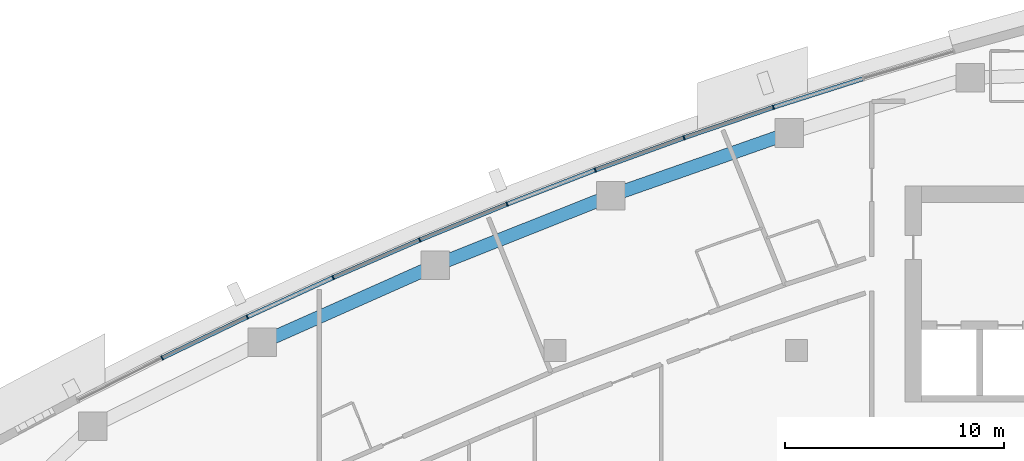
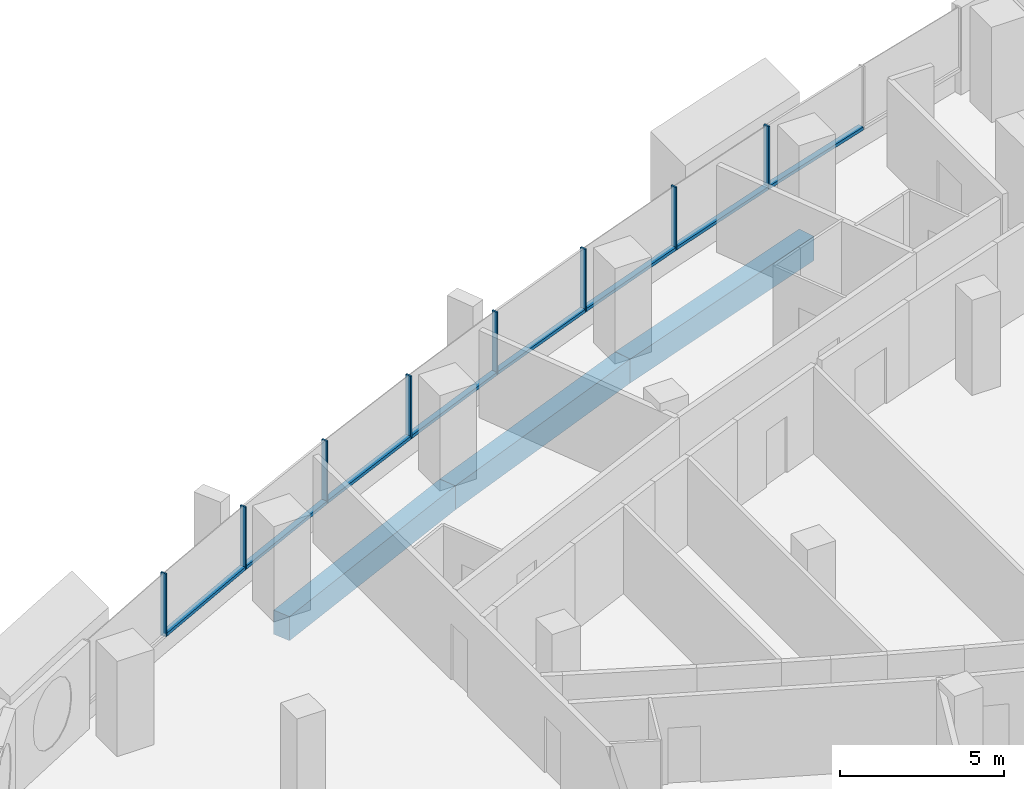
# One storey, part 6 of 17: 16 members, 3 beams, 5 elements without a shape of their own.
"""IFC4 building model written with IfcOpenShell, lengths in metres."""

from ifc_helpers import new_model, si_unit, direction, frame, origin, origin_2d, place, context, subcontext, project, spatial, rectangle, extrude, material, layer, layer_set, material_profile, profile_set, type_object, element, aggregate, save


model = new_model("IFC4")

# Units and contexts
model_context = context("Model", 3, precision=1e-05, world=origin(), true_north=direction((0.0, 1.0)))
body_context = subcontext(model_context, "Body", "Model", "MODEL_VIEW")
ifc_project = project(units=[si_unit("LENGTHUNIT", "METRE"), si_unit("AREAUNIT", "SQUARE_METRE"), si_unit("VOLUMEUNIT", "CUBIC_METRE"), si_unit("PLANEANGLEUNIT", "RADIAN"), si_unit("MASSUNIT", "GRAM", prefix="KILO")], contexts=[model_context])

# Site, building, storey
site_placement = place(None, origin())
site = spatial("IfcSite", under=ifc_project, at=site_placement, CompositionType="ELEMENT")
building_placement = place(site_placement, origin())
building = spatial("IfcBuilding", under=site, at=building_placement, Name="Ostrand Prow Hotel Tower", CompositionType="ELEMENT")
storey_placement = place(building_placement, frame((0.0, 0.0, 182.60009765625)))
storey = spatial("IfcBuildingStorey", under=building, at=storey_placement, Name="L45", CompositionType="ELEMENT", Elevation=182.60009765625)

# Beams
ifc_material_1 = material(Name="Concrete C60/75", Category="concrete")
ifc_material_profile_1 = material_profile(ifc_material_1, rectangle(XDim=0.60009765625, YDim=0.89990234375, at=origin_2d()), Name="RC 600x900")
ifc_profile_set_1 = profile_set([ifc_material_profile_1], Name="Concrete C60/75")
beam_type = type_object("IfcBeamType", Name="Edge beam 600x900 C60/75", PredefinedType="SPANDREL", material=ifc_profile_set_1)
for number, where, z_axis, x_axis, name in (
    (1, (44.6826171875, 18.91552734375, -0.75), (-0.943593618681, -0.33110584831, 0.0), (0.33110584831, -0.943593618681, 0.0), "Edge beam N2-N3"),
    (2, (36.547119140625, 16.060791015625, -0.75), (-0.929376173753, -0.36913402398, 0.0), (0.36913402398, -0.929376173753, 0.0), "Edge beam N3-N4"),
    (3, (28.5341796875, 12.878173828125, -0.75), (-0.91364332073, -0.406516767779, 0.0), (0.406516767779, -0.91364332073, 0.0), "Edge beam N4-N5"),
):
    element("IfcBeam", number, at=place(storey_placement, frame(where, z_axis=z_axis, x_axis=x_axis)), inside=storey, type_object=beam_type, Name=name, PredefinedType="SPANDREL", context=body_context, shape_type="SweptSolid", body=[
        extrude(rectangle(XDim=0.60009765625, YDim=0.89990234375, at=origin_2d()), origin(), (0.0, 0.0, 1.0), 8.621826171875),
    ])

# Curtain wall, member
ifc_material_2 = material(Name="Insulated glass in bronze anodised frame", Category="glass")
ifc_layer = layer(ifc_material_2, 0.199951171875)
ifc_layer_set = layer_set([ifc_layer], Name="Insulated glass in bronze anodised frame")
curtain_wall_type = type_object("IfcCurtainWallType", Name="Strip curtain wall, fritted glass over bronze spandrel", PredefinedType="NOTDEFINED", material=ifc_layer_set)
curtain_wall_1_placement = place(storey_placement, origin())
curtain_wall_1 = element("IfcCurtainWall", 4, at=curtain_wall_1_placement, inside=storey, type_object=curtain_wall_type, Name="CW1 run CWN1", PredefinedType="NOTDEFINED")
ifc_material_3 = material(Name="Bronze anodised aluminium", Category="aluminium")
ifc_material_profile_2 = material_profile(ifc_material_3, rectangle(XDim=0.199951171875, YDim=0.06005859375, at=origin_2d()), Name="Mullion 60x200 bronze anodised aluminium")
ifc_profile_set_2 = profile_set([ifc_material_profile_2], Name="Bronze anodised aluminium")
member_type_1 = type_object("IfcMemberType", Name="Mullion 60x200 bronze anodised aluminium", PredefinedType="MULLION", material=ifc_profile_set_2)
member_1_placement = place(storey_placement, frame((43.95361328125, 20.086669921875, 0.89990234375), z_axis=(0.0, 0.0, 1.0), x_axis=(0.303786970008, -0.952739983864, 0.0)))
member_1 = element("IfcMember", 5, at=member_1_placement, type_object=member_type_1, Name="CW1 mullion 3", PredefinedType="MULLION", context=body_context, shape_type="SweptSolid", body=[
    extrude(rectangle(XDim=0.199951171875, YDim=0.06005859375, at=origin_2d()), origin(), (0.0, 0.0, 1.0), 2.35009765625),
])

# Curtain wall, members
curtain_wall_2_placement = place(storey_placement, origin())
curtain_wall_2 = element("IfcCurtainWall", 6, at=curtain_wall_2_placement, inside=storey, type_object=curtain_wall_type, Name="CW1 run CWN2", PredefinedType="NOTDEFINED")
member_2_placement = place(storey_placement, frame((39.87939453125, 18.696533203125, 0.89990234375), z_axis=(0.0, 0.0, 1.0), x_axis=(0.341897134919, -0.939737383067, 0.0)))
member_2 = element("IfcMember", 7, at=member_2_placement, type_object=member_type_1, Name="CW1 mullion 2", PredefinedType="MULLION", context=body_context, shape_type="SweptSolid", body=[
    extrude(rectangle(XDim=0.199951171875, YDim=0.06005859375, at=origin_2d()), origin(), (0.0, 0.0, 1.0), 2.35009765625),
])
member_3_placement = place(storey_placement, frame((35.833740234375, 17.224609375, 0.89990234375), z_axis=(0.0, 0.0, 1.0), x_axis=(0.341897134919, -0.939737383067, 0.0)))
member_3 = element("IfcMember", 8, at=member_3_placement, type_object=member_type_1, Name="CW1 mullion 3", PredefinedType="MULLION", context=body_context, shape_type="SweptSolid", body=[
    extrude(rectangle(XDim=0.199951171875, YDim=0.06005859375, at=origin_2d()), origin(), (0.0, 0.0, 1.0), 2.35009765625),
])

curtain_wall_3_placement = place(storey_placement, origin())
curtain_wall_3 = element("IfcCurtainWall", 9, at=curtain_wall_3_placement, inside=storey, type_object=curtain_wall_type, Name="CW1 run CWN3", PredefinedType="NOTDEFINED")
member_4_placement = place(storey_placement, frame((31.818603515625, 15.671630859375, 0.89990234375), z_axis=(0.0, 0.0, 1.0), x_axis=(0.379452929936, -0.925211042932, 0.0)))
member_4 = element("IfcMember", 10, at=member_4_placement, type_object=member_type_1, Name="CW1 mullion 2", PredefinedType="MULLION", context=body_context, shape_type="SweptSolid", body=[
    extrude(rectangle(XDim=0.199951171875, YDim=0.06005859375, at=origin_2d()), origin(), (0.0, 0.0, 1.0), 2.35009765625),
])
member_5_placement = place(storey_placement, frame((27.83544921875, 14.0380859375, 0.89990234375), z_axis=(0.0, 0.0, 1.0), x_axis=(0.379452929936, -0.925211042932, 0.0)))
member_5 = element("IfcMember", 11, at=member_5_placement, type_object=member_type_1, Name="CW1 mullion 3", PredefinedType="MULLION", context=body_context, shape_type="SweptSolid", body=[
    extrude(rectangle(XDim=0.199951171875, YDim=0.06005859375, at=origin_2d()), origin(), (0.0, 0.0, 1.0), 2.35009765625),
])

curtain_wall_4_placement = place(storey_placement, origin())
curtain_wall_4 = element("IfcCurtainWall", 12, at=curtain_wall_4_placement, inside=storey, type_object=curtain_wall_type, Name="CW1 run CWN4", PredefinedType="NOTDEFINED")
member_6_placement = place(storey_placement, frame((23.885986328125, 12.32470703125, 0.89990234375), z_axis=(0.0, 0.0, 1.0), x_axis=(0.416393460127, -0.909184517226, 0.0)))
member_6 = element("IfcMember", 13, at=member_6_placement, type_object=member_type_1, Name="CW1 mullion 2", PredefinedType="MULLION", context=body_context, shape_type="SweptSolid", body=[
    extrude(rectangle(XDim=0.199951171875, YDim=0.06005859375, at=origin_2d()), origin(), (0.0, 0.0, 1.0), 2.35009765625),
])
member_7_placement = place(storey_placement, frame((19.971923828125, 10.531982421875, 0.89990234375), z_axis=(0.0, 0.0, 1.0), x_axis=(0.416393460127, -0.909184517226, 0.0)))
member_7 = element("IfcMember", 14, at=member_7_placement, type_object=member_type_1, Name="CW1 mullion 3", PredefinedType="MULLION", context=body_context, shape_type="SweptSolid", body=[
    extrude(rectangle(XDim=0.199951171875, YDim=0.06005859375, at=origin_2d()), origin(), (0.0, 0.0, 1.0), 2.35009765625),
])

# Curtain wall, member
curtain_wall_5_placement = place(storey_placement, origin())
curtain_wall_5 = element("IfcCurtainWall", 15, at=curtain_wall_5_placement, inside=storey, type_object=curtain_wall_type, Name="CW1 run CWN5", PredefinedType="NOTDEFINED")
member_8_placement = place(storey_placement, frame((16.0947265625, 8.660888671875, 0.89990234375), z_axis=(0.0, 0.0, 1.0), x_axis=(0.452658828186, -0.891683792196, 0.0)))
member_8 = element("IfcMember", 16, at=member_8_placement, type_object=member_type_1, Name="CW1 mullion 2", PredefinedType="MULLION", context=body_context, shape_type="SweptSolid", body=[
    extrude(rectangle(XDim=0.199951171875, YDim=0.06005859375, at=origin_2d()), origin(), (0.0, 0.0, 1.0), 2.35009765625),
])

# Member
ifc_material_4 = material(Name="Bronze anodised aluminium", Category="aluminium")
ifc_material_profile_3 = material_profile(ifc_material_4, rectangle(XDim=0.199951171875, YDim=0.1201171875, at=origin_2d()), Name="Transom 120x200 bronze anodised aluminium")
ifc_profile_set_3 = profile_set([ifc_material_profile_3], Name="Bronze anodised aluminium")
member_type_2 = type_object("IfcMemberType", Name="Transom 120x200 bronze anodised aluminium", PredefinedType="USERDEFINED", material=ifc_profile_set_3)
member_9_placement = place(storey_placement, frame((48.026611328125, 21.385498046875, 0.9599609375), z_axis=(-0.952737512605, -0.303794720289, 0.0), x_axis=(0.303794720289, -0.952737512605, 0.0)))
member_9 = element("IfcMember", 17, at=member_9_placement, type_object=member_type_2, Name="CW1 transom 2.1", ObjectType="TRANSOM", PredefinedType="USERDEFINED", context=body_context, shape_type="SweptSolid", body=[
    extrude(rectangle(XDim=0.199951171875, YDim=0.1201171875, at=origin_2d()), origin(), (0.0, 0.0, 1.0), 4.244873046875),
])

aggregate(curtain_wall_1, [member_1, member_9])

member_10_placement = place(storey_placement, frame((43.92529296875, 20.0771484375, 0.9599609375), z_axis=(-0.946422327772, -0.322931536852, 0.0), x_axis=(0.322931536852, -0.946422327772, 0.0)))
member_10 = element("IfcMember", 18, at=member_10_placement, type_object=member_type_2, Name="CW1 transom 1.1", ObjectType="TRANSOM", PredefinedType="USERDEFINED", context=body_context, shape_type="SweptSolid", body=[
    extrude(rectangle(XDim=0.199951171875, YDim=0.1201171875, at=origin_2d()), origin(), (0.0, 0.0, 1.0), 4.2451171875),
])

member_11_placement = place(storey_placement, frame((39.85107421875, 18.686279296875, 0.9599609375), z_axis=(-0.939753116272, -0.341853887584, 0.0), x_axis=(0.341853887584, -0.939753116272, 0.0)))
member_11 = element("IfcMember", 19, at=member_11_placement, type_object=member_type_2, Name="CW1 transom 2.1", ObjectType="TRANSOM", PredefinedType="USERDEFINED", context=body_context, shape_type="SweptSolid", body=[
    extrude(rectangle(XDim=0.199951171875, YDim=0.1201171875, at=origin_2d()), origin(), (0.0, 0.0, 1.0), 4.2451171875),
])

aggregate(curtain_wall_2, [member_2, member_3, member_10, member_11])

member_12_placement = place(storey_placement, frame((35.8056640625, 17.2138671875, 0.9599609375), z_axis=(-0.932675482501, -0.360716570651, 0.0), x_axis=(0.360716570651, -0.932675482501, 0.0)))
member_12 = element("IfcMember", 20, at=member_12_placement, type_object=member_type_2, Name="CW1 transom 1.1", ObjectType="TRANSOM", PredefinedType="USERDEFINED", context=body_context, shape_type="SweptSolid", body=[
    extrude(rectangle(XDim=0.199951171875, YDim=0.1201171875, at=origin_2d()), origin(), (0.0, 0.0, 1.0), 4.2451171875),
])

member_13_placement = place(storey_placement, frame((31.790771484375, 15.660400390625, 0.9599609375), z_axis=(-0.925213143858, -0.379447807258, 0.0), x_axis=(0.379447807258, -0.925213143858, 0.0)))
member_13 = element("IfcMember", 21, at=member_13_placement, type_object=member_type_2, Name="CW1 transom 2.1", ObjectType="TRANSOM", PredefinedType="USERDEFINED", context=body_context, shape_type="SweptSolid", body=[
    extrude(rectangle(XDim=0.199951171875, YDim=0.1201171875, at=origin_2d()), origin(), (0.0, 0.0, 1.0), 4.2451171875),
])

aggregate(curtain_wall_3, [member_4, member_5, member_12, member_13])

member_14_placement = place(storey_placement, frame((27.807861328125, 14.026123046875, 0.9599609375), z_axis=(-0.917389785482, -0.397989926371, 0.0), x_axis=(0.397989926371, -0.917389785482, 0.0)))
member_14 = element("IfcMember", 22, at=member_14_placement, type_object=member_type_2, Name="CW1 transom 1.1", ObjectType="TRANSOM", PredefinedType="USERDEFINED", context=body_context, shape_type="SweptSolid", body=[
    extrude(rectangle(XDim=0.199951171875, YDim=0.1201171875, at=origin_2d()), origin(), (0.0, 0.0, 1.0), 4.244873046875),
])

member_15_placement = place(storey_placement, frame((23.858642578125, 12.312255859375, 0.9599609375), z_axis=(-0.909159196143, -0.416448743628, 0.0), x_axis=(0.416448743628, -0.909159196143, 0.0)))
member_15 = element("IfcMember", 23, at=member_15_placement, type_object=member_type_2, Name="CW1 transom 2.1", ObjectType="TRANSOM", PredefinedType="USERDEFINED", context=body_context, shape_type="SweptSolid", body=[
    extrude(rectangle(XDim=0.199951171875, YDim=0.1201171875, at=origin_2d()), origin(), (0.0, 0.0, 1.0), 4.244873046875),
])

aggregate(curtain_wall_4, [member_6, member_7, member_14, member_15])

member_16_placement = place(storey_placement, frame((19.94482421875, 10.51904296875, 0.9599609375), z_axis=(-0.900619174345, -0.434609137965, 0.0), x_axis=(0.434609137965, -0.900619174345, 0.0)))
member_16 = element("IfcMember", 24, at=member_16_placement, type_object=member_type_2, Name="CW1 transom 1.1", ObjectType="TRANSOM", PredefinedType="USERDEFINED", context=body_context, shape_type="SweptSolid", body=[
    extrude(rectangle(XDim=0.199951171875, YDim=0.1201171875, at=origin_2d()), origin(), (0.0, 0.0, 1.0), 4.2451171875),
])

aggregate(curtain_wall_5, [member_8, member_16])

save(model, "model.ifc")
